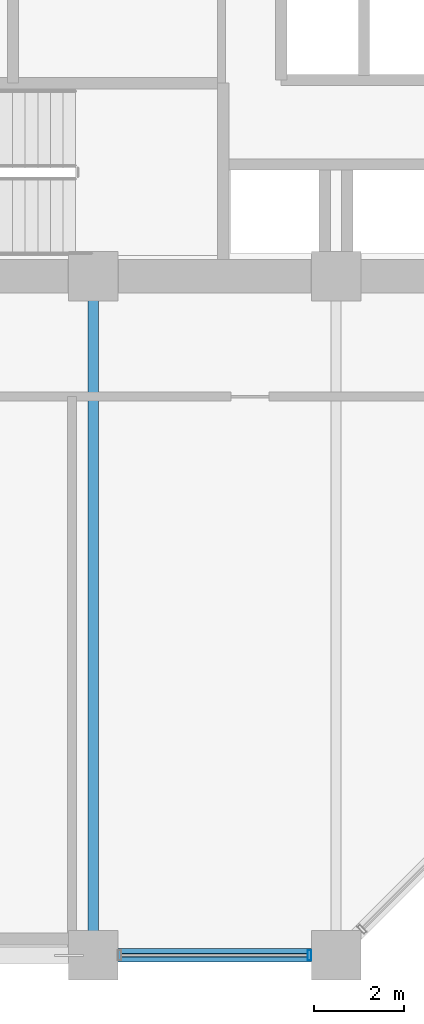
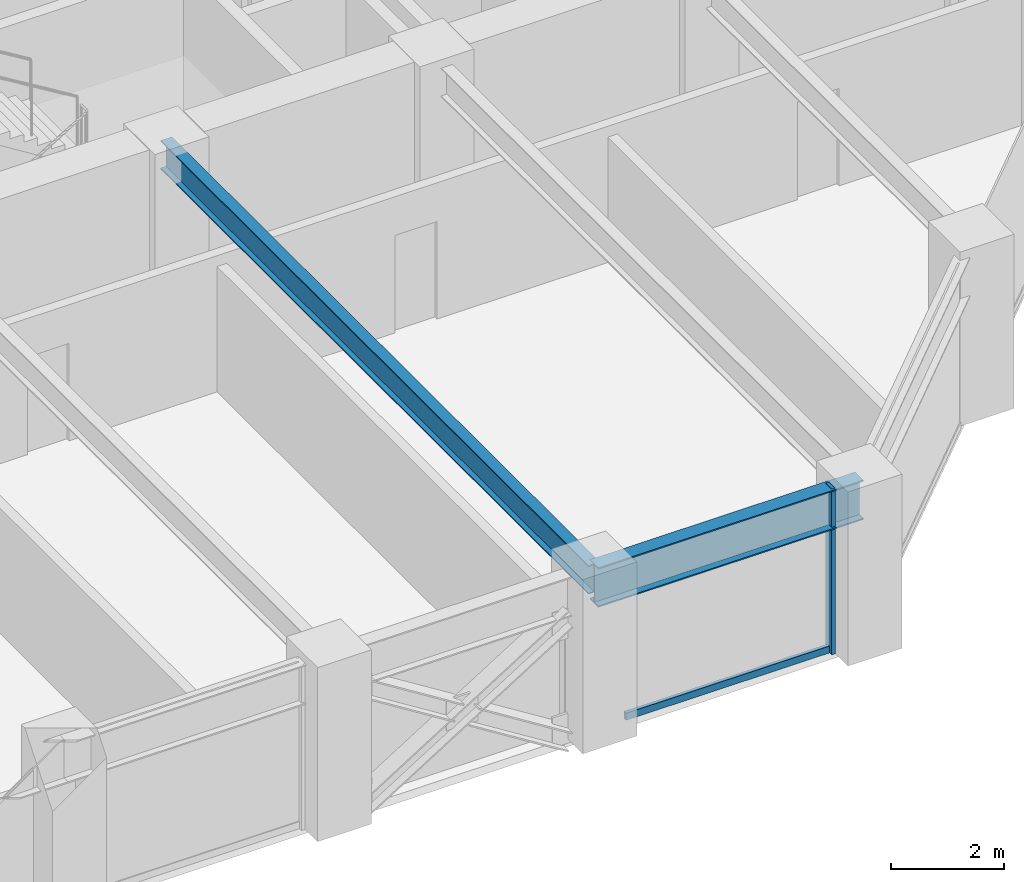
# One storey, part 5 of 25: 2 beams, 2 members, 1 element without a shape of its own.
"""IFC4 building model written with IfcOpenShell, lengths in metres."""

from ifc_helpers import new_model, si_unit, direction, frame, origin, origin_2d, place, context, subcontext, project, spatial, hollow_rectangle, i_section, extrude, material, layer, layer_set, material_profile, profile_set, type_object, element, aggregate, save


model = new_model("IFC4")

# Units and contexts
model_context = context("Model", 3, precision=1e-05, world=origin(), true_north=direction((0.0, 1.0)))
body_context = subcontext(model_context, "Body", "Model", "MODEL_VIEW")
ifc_project = project(units=[si_unit("LENGTHUNIT", "METRE"), si_unit("AREAUNIT", "SQUARE_METRE"), si_unit("VOLUMEUNIT", "CUBIC_METRE"), si_unit("PLANEANGLEUNIT", "RADIAN"), si_unit("MASSUNIT", "GRAM", prefix="KILO")], contexts=[model_context])

# Site, building, storey
site_placement = place(None, origin())
site = spatial("IfcSite", under=ifc_project, at=site_placement, CompositionType="ELEMENT")
building_placement = place(site_placement, origin())
building = spatial("IfcBuilding", under=site, at=building_placement, Name="Surkhivell Harbour Commons", CompositionType="ELEMENT")
storey_placement = place(building_placement, frame((0.0, 0.0, 120.75)))
storey = spatial("IfcBuildingStorey", under=building, at=storey_placement, Name="L31", CompositionType="ELEMENT", Elevation=120.75)

# Beams
ifc_material_1 = material(Name="Steel S355", Category="steel")
ifc_material_profile_1 = material_profile(ifc_material_1, i_section(OverallWidth=0.22998046875, OverallDepth=0.616943359375, WebThickness=0.01318359375, FlangeThickness=0.022216796875, at=origin_2d()), Name="UB610x229x140")
ifc_profile_set_1 = profile_set([ifc_material_profile_1], Name="Steel S355")
beam_type_1 = type_object("IfcBeamType", Name="BM-GRD-610B", PredefinedType="BEAM", material=ifc_profile_set_1)
beam_1_placement = place(storey_placement, frame((-5.39990234375, -25.89990234375, 3.261474609375), z_axis=(0.0, 1.0, 0.0), x_axis=(-1.0, 0.0, 0.0)))
element("IfcBeam", 1, at=beam_1_placement, inside=storey, type_object=beam_type_1, Name="L31 Floor Girder (-5.4,-25.9)", PredefinedType="BEAM", context=body_context, shape_type="SweptSolid", body=[
    extrude(i_section(OverallWidth=0.22998046875, OverallDepth=0.616943359375, WebThickness=0.01318359375, FlangeThickness=0.022216796875, at=origin_2d()), origin(), (0.0, 0.0, 1.0), 15.099853515625),
])
ifc_material_2 = material(Name="Steel S460", Category="steel")
ifc_material_profile_2 = material_profile(ifc_material_2, i_section(OverallWidth=0.2939453125, OverallDepth=0.85107421875, WebThickness=0.01611328125, FlangeThickness=0.02685546875, at=origin_2d()), Name="UB838x292x226")
ifc_profile_set_2 = profile_set([ifc_material_profile_2], Name="Steel S460")
beam_type_2 = type_object("IfcBeamType", Name="BM-SPN-838", PredefinedType="SPANDREL", material=ifc_profile_set_2)
beam_2_placement = place(storey_placement, frame((-5.39990234375, -25.89990234375, 3.14453125), z_axis=(1.0, 0.0, 0.0), x_axis=(0.0, 1.0, 0.0)))
element("IfcBeam", 2, at=beam_2_placement, inside=storey, type_object=beam_type_2, Name="L31 Tube Spandrel (-5.4,-25.9)", PredefinedType="SPANDREL", context=body_context, shape_type="SweptSolid", body=[
    extrude(i_section(OverallWidth=0.2939453125, OverallDepth=0.85107421875, WebThickness=0.01611328125, FlangeThickness=0.02685546875, at=origin_2d()), origin(), (0.0, 0.0, 1.0), 5.39990234375),
])

# Curtain wall, members
ifc_material_3 = material(Name="Anodised pale-metal aluminium and insulated glazing", Category="aluminium")
ifc_layer = layer(ifc_material_3, 0.205078125)
ifc_layer_set = layer_set([ifc_layer], Name="Anodised pale-metal aluminium and insulated glazing")
curtain_wall_type = type_object("IfcCurtainWallType", Name="CW-SYS-Z2", PredefinedType="NOTDEFINED", material=ifc_layer_set)
curtain_wall_placement = place(storey_placement, origin())
curtain_wall = element("IfcCurtainWall", 3, at=curtain_wall_placement, inside=storey, type_object=curtain_wall_type, Name="L31 Curtain Wall CW-L31-E00S2", PredefinedType="NOTDEFINED")
ifc_material_4 = material(Name="Anodised pale-metal aluminium alloy 6063-T6", Category="aluminium")
ifc_material_profile_3 = material_profile(ifc_material_4, hollow_rectangle(XDim=0.074951171875, YDim=0.219970703125, WallThickness=0.00390625, at=origin_2d()), Name="ALU-MULL-75x220")
ifc_profile_set_3 = profile_set([ifc_material_profile_3], Name="Anodised pale-metal aluminium alloy 6063-T6")
member_type_1 = type_object("IfcMemberType", Name="CWM-220", PredefinedType="MULLION", material=ifc_profile_set_3)
member_1_placement = place(storey_placement, frame((-0.589599609375, -25.89990234375, 0.0), z_axis=(0.0, 0.0, 1.0), x_axis=(1.0, 0.0, 0.0)))
member_1 = element("IfcMember", 4, at=member_1_placement, type_object=member_type_1, Name="CW-Z2 mullion 2", PredefinedType="MULLION", context=body_context, shape_type="SweptSolid", body=[
    extrude(hollow_rectangle(XDim=0.074951171875, YDim=0.219970703125, WallThickness=0.00390625, at=origin_2d()), origin(), (0.0, 0.0, 1.0), 3.570068359375),
])
ifc_material_profile_4 = material_profile(ifc_material_4, hollow_rectangle(XDim=0.074951171875, YDim=0.14990234375, WallThickness=0.00341796875, at=origin_2d()), Name="ALU-TRAN-75x150")
ifc_profile_set_4 = profile_set([ifc_material_profile_4], Name="Anodised pale-metal aluminium alloy 6063-T6")
member_type_2 = type_object("IfcMemberType", Name="CWT-150", PredefinedType="USERDEFINED", material=ifc_profile_set_4)
member_2_placement = place(storey_placement, frame((-4.77294921875, -25.89990234375, 0.074951171875), z_axis=(1.0, 0.0, 0.0), x_axis=(0.0, 1.0, 0.0)))
member_2 = element("IfcMember", 5, at=member_2_placement, type_object=member_type_2, Name="CW-Z2 transom 1.1", ObjectType="TRANSOM", PredefinedType="USERDEFINED", context=body_context, shape_type="SweptSolid", body=[
    extrude(hollow_rectangle(XDim=0.074951171875, YDim=0.14990234375, WallThickness=0.00341796875, at=origin_2d()), origin(), (0.0, 0.0, 1.0), 4.14599609375),
])
aggregate(curtain_wall, [member_1, member_2])

save(model, "model.ifc")
